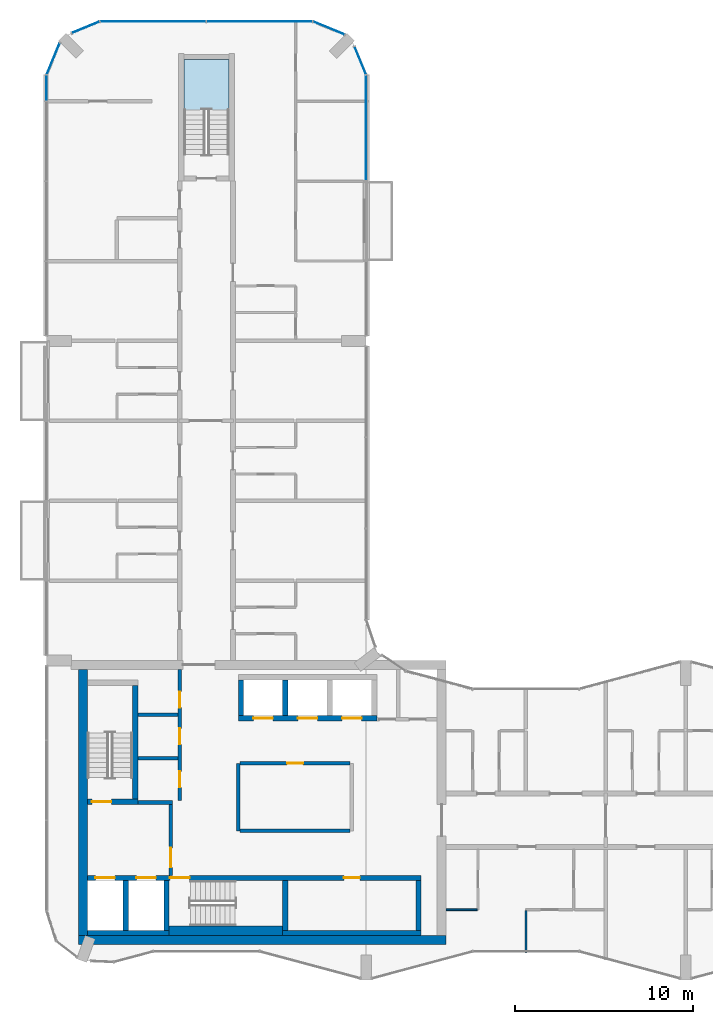
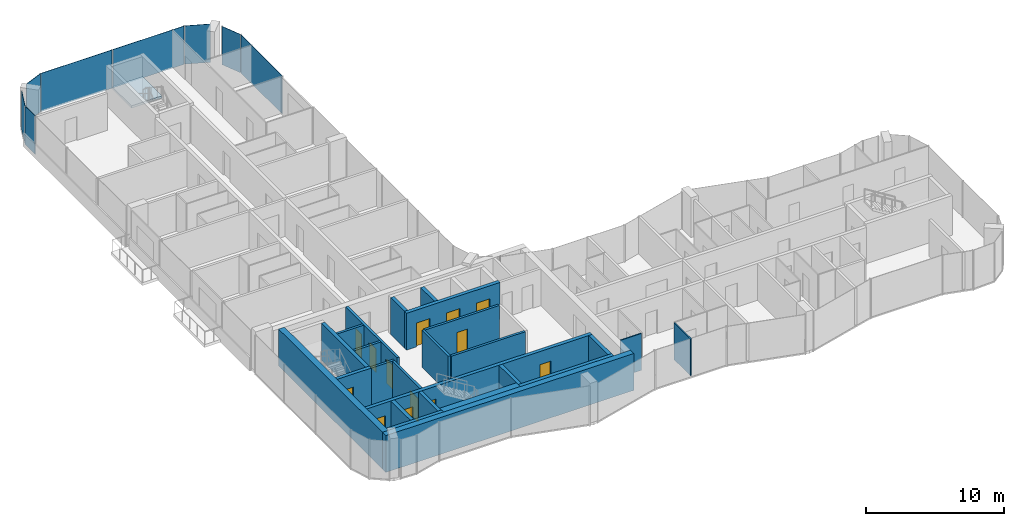
# One storey, part 9 of 16: 25 walls, 13 doors, 8 plates, 1 slab, 13 openings, 8 elements without a shape of their own.
"""IFC4 building model written with IfcOpenShell, lengths in metres."""

from ifc_helpers import new_model, si_unit, direction, frame, frame_2d, origin, origin_2d, place, context, subcontext, project, spatial, polyline, rectangle, outline, extrude, material, layer, layer_set, type_object, element, fill, aggregate, save


model = new_model("IFC4")

# Units and contexts
model_context = context("Model", 3, precision=1e-05, world=origin(), true_north=direction((0.0, 1.0)))
body_context = subcontext(model_context, "Body", "Model", "MODEL_VIEW")
ifc_project = project(units=[si_unit("LENGTHUNIT", "METRE"), si_unit("AREAUNIT", "SQUARE_METRE"), si_unit("VOLUMEUNIT", "CUBIC_METRE"), si_unit("PLANEANGLEUNIT", "RADIAN"), si_unit("MASSUNIT", "GRAM", prefix="KILO")], contexts=[model_context])

# Site, building, storey
site_placement = place(None, origin())
site = spatial("IfcSite", under=ifc_project, at=site_placement, CompositionType="ELEMENT")
building_placement = place(site_placement, origin())
building = spatial("IfcBuilding", under=site, at=building_placement, Name="Plateau Cross Towers", CompositionType="ELEMENT")
storey_placement = place(building_placement, frame((0.0, 0.0, 215.39990234375)))
storey = spatial("IfcBuildingStorey", under=building, at=storey_placement, Name="L56", CompositionType="ELEMENT", Elevation=215.39990234375)

# Curtain wall, plate
ifc_material_1 = material(Name="Dark low-iron glass", Category="glass")
ifc_layer_1 = layer(ifc_material_1, 0.239990234375)
ifc_layer_set_1 = layer_set([ifc_layer_1], Name="Dark low-iron glass")
curtain_wall_type = type_object("IfcCurtainWallType", Name="Curtain wall flush unitised CW-B", PredefinedType="NOTDEFINED", material=ifc_layer_set_1)
curtain_wall_1_placement = place(storey_placement, origin())
curtain_wall_1 = element("IfcCurtainWall", 1, at=curtain_wall_1_placement, inside=storey, type_object=curtain_wall_type, Name="ENV/A/L56/A180_450", PredefinedType="NOTDEFINED")
ifc_layer_2 = layer(ifc_material_1, 0.031982421875)
ifc_layer_set_2 = layer_set([ifc_layer_2], Name="Dark low-iron glass")
plate_type = type_object("IfcPlateType", Name="Glass panel 32 flush unitised", PredefinedType="CURTAIN_PANEL", material=ifc_layer_set_2)
plate_1_placement = place(storey_placement, frame((18.0, 48.0048828125, -0.1298828125), z_axis=(0.0, 0.0, 1.0), x_axis=(0.0, 1.0, 0.0)))
plate_1 = element("IfcPlate", 2, at=plate_1_placement, type_object=plate_type, Name="CW-B panel 1", PredefinedType="CURTAIN_PANEL", context=body_context, shape_type="SweptSolid", body=[
    extrude(rectangle(XDim=5.929931640625, YDim=0.031982421875, at=origin_2d()), origin(), (0.0, 0.0, 1.0), 3.3798828125),
])
aggregate(curtain_wall_1, [plate_1])

curtain_wall_2_placement = place(storey_placement, origin())
curtain_wall_2 = element("IfcCurtainWall", 3, at=curtain_wall_2_placement, inside=storey, type_object=curtain_wall_type, Name="ENV/A/L56/A180_510", PredefinedType="NOTDEFINED")
plate_2_placement = place(storey_placement, frame((17.66943359375, 51.79833984375, -0.1298828125), z_axis=(0.0, 0.0, 1.0), x_axis=(-0.382683612978, 0.923879457699, 0.0)))
plate_2 = element("IfcPlate", 4, at=plate_2_placement, type_object=plate_type, Name="CW-B panel 1", PredefinedType="CURTAIN_PANEL", context=body_context, shape_type="SweptSolid", body=[
    extrude(rectangle(XDim=1.668212890625, YDim=0.031982421875, at=origin_2d()), origin(), (0.0, 0.0, 1.0), 3.3798828125),
])
aggregate(curtain_wall_2, [plate_2])

curtain_wall_3_placement = place(storey_placement, origin())
curtain_wall_3 = element("IfcCurtainWall", 5, at=curtain_wall_3_placement, inside=storey, type_object=curtain_wall_type, Name="ENV/A/L56/A168_533", PredefinedType="NOTDEFINED")
plate_3_placement = place(storey_placement, frame((15.90283203125, 53.6259765625, -0.1298828125), z_axis=(0.0, 0.0, 1.0), x_axis=(-0.923879457699, 0.382683612978, 0.0)))
plate_3 = element("IfcPlate", 6, at=plate_3_placement, type_object=plate_type, Name="CW-B panel 1", PredefinedType="CURTAIN_PANEL", context=body_context, shape_type="SweptSolid", body=[
    extrude(rectangle(XDim=1.894775390625, YDim=0.031982421875, at=origin_2d()), origin(), (0.0, 0.0, 1.0), 3.3798828125),
])
aggregate(curtain_wall_3, [plate_3])

# Curtain wall, plates
curtain_wall_4_placement = place(storey_placement, origin())
curtain_wall_4 = element("IfcCurtainWall", 7, at=curtain_wall_4_placement, inside=storey, type_object=curtain_wall_type, Name="ENV/A/L56/A150_540", PredefinedType="NOTDEFINED")
plate_4_placement = place(storey_placement, frame((12.0, 54.0, -0.1298828125), z_axis=(0.0, 0.0, 1.0), x_axis=(-1.0, 0.0, 0.0)))
plate_4 = element("IfcPlate", 8, at=plate_4_placement, type_object=plate_type, Name="CW-B panel 1", PredefinedType="CURTAIN_PANEL", context=body_context, shape_type="SweptSolid", body=[
    extrude(rectangle(XDim=5.93994140625, YDim=0.031982421875, at=origin_2d()), origin(), (0.0, 0.0, 1.0), 3.3798828125),
])
plate_5_placement = place(storey_placement, frame((6.0, 54.0, -0.1298828125), z_axis=(0.0, 0.0, 1.0), x_axis=(-1.0, 0.0, 0.0)))
plate_5 = element("IfcPlate", 9, at=plate_5_placement, type_object=plate_type, Name="CW-B panel 2", PredefinedType="CURTAIN_PANEL", context=body_context, shape_type="SweptSolid", body=[
    extrude(rectangle(XDim=5.93994140625, YDim=0.031982421875, at=origin_2d()), origin(), (0.0, 0.0, 1.0), 3.3798828125),
])
aggregate(curtain_wall_4, [plate_4, plate_5])

# Curtain wall, plate
curtain_wall_5_placement = place(storey_placement, origin())
curtain_wall_5 = element("IfcCurtainWall", 10, at=curtain_wall_5_placement, inside=storey, type_object=curtain_wall_type, Name="ENV/A/L56/A30_540", PredefinedType="NOTDEFINED")
plate_6_placement = place(storey_placement, frame((2.20166015625, 53.66943359375, -0.1298828125), z_axis=(0.0, 0.0, 1.0), x_axis=(-0.923879457699, -0.382683612978, 0.0)))
plate_6 = element("IfcPlate", 11, at=plate_6_placement, type_object=plate_type, Name="CW-B panel 1", PredefinedType="CURTAIN_PANEL", context=body_context, shape_type="SweptSolid", body=[
    extrude(rectangle(XDim=1.668212890625, YDim=0.031982421875, at=origin_2d()), origin(), (0.0, 0.0, 1.0), 3.3798828125),
])
aggregate(curtain_wall_5, [plate_6])

curtain_wall_6_placement = place(storey_placement, origin())
curtain_wall_6 = element("IfcCurtainWall", 12, at=curtain_wall_6_placement, inside=storey, type_object=curtain_wall_type, Name="ENV/A/L56/A7_528", PredefinedType="NOTDEFINED")
plate_7_placement = place(storey_placement, frame((0.3740234375, 51.90283203125, -0.1298828125), z_axis=(0.0, 0.0, 1.0), x_axis=(-0.382683612978, -0.923879457699, 0.0)))
plate_7 = element("IfcPlate", 13, at=plate_7_placement, type_object=plate_type, Name="CW-B panel 1", PredefinedType="CURTAIN_PANEL", context=body_context, shape_type="SweptSolid", body=[
    extrude(rectangle(XDim=1.894775390625, YDim=0.031982421875, at=origin_2d()), origin(), (0.0, 0.0, 1.0), 3.3798828125),
])
aggregate(curtain_wall_6, [plate_7])

curtain_wall_7_placement = place(storey_placement, origin())
curtain_wall_7 = element("IfcCurtainWall", 14, at=curtain_wall_7_placement, inside=storey, type_object=curtain_wall_type, Name="ENV/A/L56/A0_510", PredefinedType="NOTDEFINED")
plate_8_placement = place(storey_placement, frame((0.0, 50.25, -0.1298828125), z_axis=(0.0, 0.0, 1.0), x_axis=(0.0, -1.0, 0.0)))
plate_8 = element("IfcPlate", 15, at=plate_8_placement, type_object=plate_type, Name="CW-B panel 1", PredefinedType="CURTAIN_PANEL", context=body_context, shape_type="SweptSolid", body=[
    extrude(rectangle(XDim=1.43994140625, YDim=0.031982421875, at=origin_2d()), origin(), (0.0, 0.0, 1.0), 3.3798828125),
])
aggregate(curtain_wall_7, [plate_8])

# Stair, slab
ifc_material_2 = material(Name="Concrete C40/50", Category="concrete")
stair_type = type_object("IfcStairType", Name="ST-TWR", PredefinedType="HALF_TURN_STAIR", material=ifc_material_2)
stair_placement = place(storey_placement, origin())
stair = element("IfcStair", 16, at=stair_placement, inside=storey, type_object=stair_type, Name="L56 Protected Exit Stair N", PredefinedType="HALF_TURN_STAIR")
ifc_layer_3 = layer(ifc_material_2, 0.199951171875)
ifc_layer_set_3 = layer_set([ifc_layer_3], Name="Concrete C40/50")
slab_type = type_object("IfcSlabType", Name="SL-LANDING", PredefinedType="LANDING", material=ifc_layer_set_3)
slab_placement = place(storey_placement, frame((0.0, 0.0, 1.550048828125)))
slab = element("IfcSlab", 17, at=slab_placement, type_object=slab_type, Name="ES-N landing 1", PredefinedType="LANDING", context=body_context, shape_type="SweptSolid", body=[
    extrude(outline(polyline([(10.27490234375, 49.02001953125), (10.27490234375, 51.85009765625), (7.72509765625, 51.85009765625), (7.72509765625, 49.02001953125), (10.27490234375, 49.02001953125)])), origin(), (0.0, 0.0, 1.0), 0.199951171875),
])
aggregate(stair, [slab])

# Wall, opening, door
ifc_material_3 = material(Name="Concrete block, plastered both sides", Category="concrete")
ifc_layer_4 = layer(ifc_material_3, 0.199951171875)
ifc_layer_set_4 = layer_set([ifc_layer_4], Name="Concrete block, plastered both sides")
wall_type_1 = type_object("IfcWallType", Name="Core partition 200", PredefinedType="PARTITIONING", material=ifc_layer_set_4)
wall_1_placement = place(storey_placement, frame((7.0, 5.89990234375, 0.0), z_axis=(0.0, 0.0, 1.0), x_axis=(0.0, 1.0, 0.0)))
wall_1 = element("IfcWall", 18, at=wall_1_placement, inside=storey, type_object=wall_type_1, Name="Core partition", PredefinedType="PARTITIONING", context=body_context, shape_type="SweptSolid", body=[
    extrude(rectangle(XDim=4.0, YDim=0.199951171875, at=frame_2d((2.0, 0.0))), origin(), (0.0, 0.0, 1.0), 3.25),
])
opening_1_placement = place(wall_1_placement, frame((0.449951171875, 0.0, 0.0)))
opening_1 = element("IfcOpeningElement", 19, at=opening_1_placement, cuts=wall_1, Name="Opening FFD", PredefinedType="OPENING", context=body_context, shape_type="SweptSolid", body=[
    extrude(rectangle(XDim=1.10009765625, YDim=2.10009765625, at=frame_2d((0.550048828125, 1.050048828125))), frame((0.0, 0.10986328125, 0.0), z_axis=(0.0, -1.0, 0.0), x_axis=(1.0, 0.0, 0.0)), (0.0, 0.0, 1.0), 0.219970703125),
])
ifc_material_4 = material(Name="Steel, fire-resisting leaf", Category="steel")
door_type_1 = type_object("IfcDoorType", Name="Firefighting lobby door 1100", OperationType="NOTDEFINED", PredefinedType="DOOR", material=ifc_material_4)
door_1_placement = place(opening_1_placement, origin())
door_1 = element("IfcDoor", 20, at=door_1_placement, inside=storey, type_object=door_type_1, Name="Firefighting lobby door FFD", OperationType="SINGLE_SWING_LEFT", OverallHeight=2.10009765625, OverallWidth=1.10009765625, PredefinedType="DOOR", context=body_context, shape_type="SweptSolid", body=[
    extrude(rectangle(XDim=1.10009765625, YDim=2.10009765625, at=frame_2d((0.550048828125, 1.050048828125))), frame((0.0, 0.02490234375, 0.0), z_axis=(0.0, -1.0, 0.0), x_axis=(1.0, 0.0, 0.0)), (0.0, 0.0, 1.0), 0.050048828125),
])
fill(opening_1, door_1)

# Walls
wall_2_placement = place(storey_placement, frame((5.14990234375, 10.0, 0.0), z_axis=(0.0, 0.0, 1.0), x_axis=(1.0, 0.0, 0.0)))
element("IfcWall", 21, at=wall_2_placement, inside=storey, type_object=wall_type_1, Name="Core partition", PredefinedType="PARTITIONING", context=body_context, shape_type="SweptSolid", body=[
    extrude(rectangle(XDim=1.9501953125, YDim=0.199951171875, at=frame_2d((0.97509765625, 0.0))), origin(), (0.0, 0.0, 1.0), 3.25),
])
wall_3_placement = place(storey_placement, frame((10.800048828125, 8.39990234375, 0.0), z_axis=(0.0, 0.0, 1.0), x_axis=(0.0, 1.0, 0.0)))
element("IfcWall", 22, at=wall_3_placement, inside=storey, type_object=wall_type_1, Name="Core partition", PredefinedType="PARTITIONING", context=body_context, shape_type="SweptSolid", body=[
    extrude(rectangle(XDim=3.800048828125, YDim=0.199951171875, at=frame_2d((1.89990234375, 0.0))), origin(), (0.0, 0.0, 1.0), 3.25),
])
wall_4_placement = place(storey_placement, frame((10.89990234375, 8.39990234375, 0.0), z_axis=(0.0, 0.0, 1.0), x_axis=(1.0, 0.0, 0.0)))
element("IfcWall", 23, at=wall_4_placement, inside=storey, type_object=wall_type_1, Name="Core partition", PredefinedType="PARTITIONING", context=body_context, shape_type="SweptSolid", body=[
    extrude(rectangle(XDim=6.2001953125, YDim=0.199951171875, at=frame_2d((3.10009765625, 0.0))), origin(), (0.0, 0.0, 1.0), 3.25),
])

# Wall, opening, door
wall_5_placement = place(storey_placement, frame((10.89990234375, 12.199951171875, 0.0), z_axis=(0.0, 0.0, 1.0), x_axis=(1.0, 0.0, 0.0)))
wall_5 = element("IfcWall", 24, at=wall_5_placement, inside=storey, type_object=wall_type_1, Name="Core partition", PredefinedType="PARTITIONING", context=body_context, shape_type="SweptSolid", body=[
    extrude(rectangle(XDim=6.2001953125, YDim=0.199951171875, at=frame_2d((3.10009765625, 0.0))), origin(), (0.0, 0.0, 1.0), 3.25),
])
opening_2_placement = place(wall_5_placement, frame((2.64990234375, 0.0, 0.0)))
opening_2 = element("IfcOpeningElement", 25, at=opening_2_placement, cuts=wall_5, Name="Opening RD1", PredefinedType="OPENING", context=body_context, shape_type="SweptSolid", body=[
    extrude(rectangle(XDim=0.89990234375, YDim=2.10009765625, at=frame_2d((0.449951171875, 1.050048828125))), frame((0.0, 0.10986328125, 0.0), z_axis=(0.0, -1.0, 0.0), x_axis=(1.0, 0.0, 0.0)), (0.0, 0.0, 1.0), 0.219970703125),
])
ifc_material_5 = material(Name="Timber, fire-resisting leaf", Category="wood")
door_type_2 = type_object("IfcDoorType", Name="Core service door 900", OperationType="NOTDEFINED", PredefinedType="DOOR", material=ifc_material_5)
door_2_placement = place(opening_2_placement, origin())
door_2 = element("IfcDoor", 26, at=door_2_placement, inside=storey, type_object=door_type_2, Name="Core service door RD1", OperationType="SINGLE_SWING_LEFT", OverallHeight=2.10009765625, OverallWidth=0.89990234375, PredefinedType="DOOR", context=body_context, shape_type="SweptSolid", body=[
    extrude(rectangle(XDim=0.89990234375, YDim=2.10009765625, at=frame_2d((0.449951171875, 1.050048828125))), frame((0.0, 0.02490234375, 0.0), z_axis=(0.0, -1.0, 0.0), x_axis=(1.0, 0.0, 0.0)), (0.0, 0.0, 1.0), 0.050048828125),
])
fill(opening_2, door_2)

# Wall, openings, doors
wall_6_placement = place(storey_placement, frame((7.5, 10.10009765625, 0.0), z_axis=(0.0, 0.0, 1.0), x_axis=(0.0, 1.0, 0.0)))
wall_6 = element("IfcWall", 27, at=wall_6_placement, inside=storey, type_object=wall_type_1, Name="Core partition", PredefinedType="PARTITIONING", context=body_context, shape_type="SweptSolid", body=[
    extrude(rectangle(XDim=7.39990234375, YDim=0.199951171875, at=frame_2d((3.699951171875, 0.0))), origin(), (0.0, 0.0, 1.0), 3.25),
])
opening_3_placement = place(wall_6_placement, frame((0.75, 0.0, 0.0)))
opening_3 = element("IfcOpeningElement", 28, at=opening_3_placement, cuts=wall_6, Name="Opening RD1", PredefinedType="OPENING", context=body_context, shape_type="SweptSolid", body=[
    extrude(rectangle(XDim=0.89990234375, YDim=2.10009765625, at=frame_2d((0.449951171875, 1.050048828125))), frame((0.0, 0.10986328125, 0.0), z_axis=(0.0, -1.0, 0.0), x_axis=(1.0, 0.0, 0.0)), (0.0, 0.0, 1.0), 0.219970703125),
])
opening_4_placement = place(wall_6_placement, frame((3.175048828125, 0.0, 0.0)))
opening_4 = element("IfcOpeningElement", 29, at=opening_4_placement, cuts=wall_6, Name="Opening RD1", PredefinedType="OPENING", context=body_context, shape_type="SweptSolid", body=[
    extrude(rectangle(XDim=0.89990234375, YDim=2.10009765625, at=frame_2d((0.449951171875, 1.050048828125))), frame((0.0, 0.10986328125, 0.0), z_axis=(0.0, -1.0, 0.0), x_axis=(1.0, 0.0, 0.0)), (0.0, 0.0, 1.0), 0.219970703125),
])
opening_5_placement = place(wall_6_placement, frame((5.25, 0.0, 0.0)))
opening_5 = element("IfcOpeningElement", 30, at=opening_5_placement, cuts=wall_6, Name="Opening RD1", PredefinedType="OPENING", context=body_context, shape_type="SweptSolid", body=[
    extrude(rectangle(XDim=0.89990234375, YDim=2.10009765625, at=frame_2d((0.449951171875, 1.050048828125))), frame((0.0, 0.10986328125, 0.0), z_axis=(0.0, -1.0, 0.0), x_axis=(1.0, 0.0, 0.0)), (0.0, 0.0, 1.0), 0.219970703125),
])
door_3_placement = place(opening_3_placement, origin())
door_3 = element("IfcDoor", 31, at=door_3_placement, inside=storey, type_object=door_type_2, Name="Core service door RD1", OperationType="SINGLE_SWING_RIGHT", OverallHeight=2.10009765625, OverallWidth=0.89990234375, PredefinedType="DOOR", context=body_context, shape_type="SweptSolid", body=[
    extrude(rectangle(XDim=0.89990234375, YDim=2.10009765625, at=frame_2d((0.449951171875, 1.050048828125))), frame((0.0, 0.02490234375, 0.0), z_axis=(0.0, -1.0, 0.0), x_axis=(1.0, 0.0, 0.0)), (0.0, 0.0, 1.0), 0.050048828125),
])
fill(opening_3, door_3)
door_4_placement = place(opening_4_placement, origin())
door_4 = element("IfcDoor", 32, at=door_4_placement, inside=storey, type_object=door_type_2, Name="Core service door RD1", OperationType="SINGLE_SWING_RIGHT", OverallHeight=2.10009765625, OverallWidth=0.89990234375, PredefinedType="DOOR", context=body_context, shape_type="SweptSolid", body=[
    extrude(rectangle(XDim=0.89990234375, YDim=2.10009765625, at=frame_2d((0.449951171875, 1.050048828125))), frame((0.0, 0.02490234375, 0.0), z_axis=(0.0, -1.0, 0.0), x_axis=(1.0, 0.0, 0.0)), (0.0, 0.0, 1.0), 0.050048828125),
])
fill(opening_4, door_4)
door_5_placement = place(opening_5_placement, origin())
door_5 = element("IfcDoor", 33, at=door_5_placement, inside=storey, type_object=door_type_2, Name="Core service door RD1", OperationType="SINGLE_SWING_RIGHT", OverallHeight=2.10009765625, OverallWidth=0.89990234375, PredefinedType="DOOR", context=body_context, shape_type="SweptSolid", body=[
    extrude(rectangle(XDim=0.89990234375, YDim=2.10009765625, at=frame_2d((0.449951171875, 1.050048828125))), frame((0.0, 0.02490234375, 0.0), z_axis=(0.0, -1.0, 0.0), x_axis=(1.0, 0.0, 0.0)), (0.0, 0.0, 1.0), 0.050048828125),
])
fill(opening_5, door_5)

# Walls
for number, where, z_axis, x_axis, name in (
    (34, (5.14990234375, 12.5, 0.0), (0.0, 0.0, 1.0), (1.0, 0.0, 0.0), "Core partition"),
    (35, (5.14990234375, 14.949951171875, 0.0), (0.0, 0.0, 1.0), (1.0, 0.0, 0.0), "Core partition"),
):
    element("IfcWall", number, at=place(storey_placement, frame(where, z_axis=z_axis, x_axis=x_axis)), inside=storey, type_object=wall_type_1, Name=name, PredefinedType="PARTITIONING", context=body_context, shape_type="SweptSolid", body=[
        extrude(rectangle(XDim=2.25, YDim=0.199951171875, at=frame_2d((1.125, 0.0))), origin(), (0.0, 0.0, 1.0), 3.25),
    ])
ifc_material_6 = material(Name="Concrete C60/75", Category="concrete")
ifc_layer_5 = layer(ifc_material_6, 0.300048828125)
ifc_layer_set_5 = layer_set([ifc_layer_5], Name="Concrete C60/75")
wall_type_2 = type_object("IfcWallType", Name="Core shaft wall 300", PredefinedType="SHEAR", material=ifc_layer_set_5)
wall_7_placement = place(storey_placement, frame((2.300048828125, 2.64990234375, 0.0), z_axis=(0.0, 0.0, 1.0), x_axis=(1.0, 0.0, 0.0)))
element("IfcWall", 36, at=wall_7_placement, inside=storey, type_object=wall_type_2, Name="A-sb-back1@L56", PredefinedType="SHEAR", context=body_context, shape_type="SweptSolid", body=[
    extrude(rectangle(XDim=4.599853515625, YDim=0.300048828125, at=frame_2d((2.2998046875, 0.0))), origin(), (0.0, 0.0, 1.0), 3.25),
])
wall_8_placement = place(storey_placement, frame((13.300048828125, 2.64990234375, 0.0), z_axis=(0.0, 0.0, 1.0), x_axis=(1.0, 0.0, 0.0)))
element("IfcWall", 37, at=wall_8_placement, inside=storey, type_object=wall_type_2, Name="A-sb-back3@L56", PredefinedType="SHEAR", context=body_context, shape_type="SweptSolid", body=[
    extrude(rectangle(XDim=7.800048828125, YDim=0.300048828125, at=frame_2d((3.89990234375, 0.0))), origin(), (0.0, 0.0, 1.0), 3.25),
])
for number, where, z_axis, x_axis, name in (
    (38, (4.449951171875, 2.800048828125, 0.0), (0.0, 0.0, 1.0), (0.0, 1.0, 0.0), "A-sb-v1@L56"),
    (39, (6.75, 2.800048828125, 0.0), (0.0, 0.0, 1.0), (0.0, 1.0, 0.0), "A-sb-v2@L56"),
    (40, (13.449951171875, 2.800048828125, 0.0), (0.0, 0.0, 1.0), (0.0, 1.0, 0.0), "A-sb-v3@L56"),
    (41, (20.949951171875, 2.800048828125, 0.0), (0.0, 0.0, 1.0), (0.0, 1.0, 0.0), "A-sb-v6@L56"),
):
    element("IfcWall", number, at=place(storey_placement, frame(where, z_axis=z_axis, x_axis=x_axis)), inside=storey, type_object=wall_type_2, Name=name, PredefinedType="SHEAR", context=body_context, shape_type="SweptSolid", body=[
        extrude(rectangle(XDim=2.800048828125, YDim=0.300048828125, at=frame_2d((1.39990234375, 0.0))), origin(), (0.0, 0.0, 1.0), 3.25),
    ])

# Wall, openings, doors
wall_9_placement = place(storey_placement, frame((2.300048828125, 5.75, 0.0), z_axis=(0.0, 0.0, 1.0), x_axis=(1.0, 0.0, 0.0)))
wall_9 = element("IfcWall", 42, at=wall_9_placement, inside=storey, type_object=wall_type_2, Name="A-sb-front@L56", PredefinedType="SHEAR", context=body_context, shape_type="SweptSolid", body=[
    extrude(rectangle(XDim=18.800048828125, YDim=0.300048828125, at=frame_2d((9.39990234375, 0.0))), origin(), (0.0, 0.0, 1.0), 3.25),
])
opening_6_placement = place(wall_9_placement, frame((4.64990234375, 0.0, 0.0)))
opening_6 = element("IfcOpeningElement", 43, at=opening_6_placement, cuts=wall_9, Name="Opening SD", PredefinedType="OPENING", context=body_context, shape_type="SweptSolid", body=[
    extrude(rectangle(XDim=1.10009765625, YDim=2.10009765625, at=frame_2d((0.550048828125, 1.050048828125))), frame((0.0, 0.159912109375, 0.0), z_axis=(0.0, -1.0, 0.0), x_axis=(1.0, 0.0, 0.0)), (0.0, 0.0, 1.0), 0.320068359375),
])
opening_7_placement = place(wall_9_placement, frame((0.449951171875, 0.0, 0.0)))
opening_7 = element("IfcOpeningElement", 44, at=opening_7_placement, cuts=wall_9, Name="Opening LD", PredefinedType="OPENING", context=body_context, shape_type="SweptSolid", body=[
    extrude(rectangle(XDim=1.10009765625, YDim=2.10009765625, at=frame_2d((0.550048828125, 1.050048828125))), frame((0.0, 0.159912109375, 0.0), z_axis=(0.0, -1.0, 0.0), x_axis=(1.0, 0.0, 0.0)), (0.0, 0.0, 1.0), 0.320068359375),
])
opening_8_placement = place(wall_9_placement, frame((2.75, 0.0, 0.0)))
opening_8 = element("IfcOpeningElement", 45, at=opening_8_placement, cuts=wall_9, Name="Opening LD", PredefinedType="OPENING", context=body_context, shape_type="SweptSolid", body=[
    extrude(rectangle(XDim=1.10009765625, YDim=2.10009765625, at=frame_2d((0.550048828125, 1.050048828125))), frame((0.0, 0.159912109375, 0.0), z_axis=(0.0, -1.0, 0.0), x_axis=(1.0, 0.0, 0.0)), (0.0, 0.0, 1.0), 0.320068359375),
])
opening_9_placement = place(wall_9_placement, frame((14.449951171875, 0.0, 0.0)))
opening_9 = element("IfcOpeningElement", 46, at=opening_9_placement, cuts=wall_9, Name="Opening RD2", PredefinedType="OPENING", context=body_context, shape_type="SweptSolid", body=[
    extrude(rectangle(XDim=0.89990234375, YDim=2.10009765625, at=frame_2d((0.449951171875, 1.050048828125))), frame((0.0, 0.159912109375, 0.0), z_axis=(0.0, -1.0, 0.0), x_axis=(1.0, 0.0, 0.0)), (0.0, 0.0, 1.0), 0.320068359375),
])
door_type_3 = type_object("IfcDoorType", Name="Core riser door 900", OperationType="NOTDEFINED", PredefinedType="DOOR", material=ifc_material_4)
door_6_placement = place(opening_9_placement, origin())
door_6 = element("IfcDoor", 47, at=door_6_placement, inside=storey, type_object=door_type_3, Name="Core riser door RD2", OperationType="SINGLE_SWING_LEFT", OverallHeight=2.10009765625, OverallWidth=0.89990234375, PredefinedType="DOOR", context=body_context, shape_type="SweptSolid", body=[
    extrude(rectangle(XDim=0.89990234375, YDim=2.10009765625, at=frame_2d((0.449951171875, 1.050048828125))), frame((0.0, 0.02490234375, 0.0), z_axis=(0.0, -1.0, 0.0), x_axis=(1.0, 0.0, 0.0)), (0.0, 0.0, 1.0), 0.050048828125),
])
fill(opening_9, door_6)
ifc_material_7 = material(Name="Stainless steel, fire-resisting sliding leaves", Category="steel")
door_type_4 = type_object("IfcDoorType", Name="Lift landing door 1100", OperationType="NOTDEFINED", PredefinedType="DOOR", material=ifc_material_7)
door_7_placement = place(opening_7_placement, origin())
door_7 = element("IfcDoor", 48, at=door_7_placement, inside=storey, type_object=door_type_4, Name="Lift landing door LD", OperationType="DOUBLE_DOOR_SLIDING", OverallHeight=2.10009765625, OverallWidth=1.10009765625, PredefinedType="DOOR", context=body_context, shape_type="SweptSolid", body=[
    extrude(rectangle(XDim=1.10009765625, YDim=2.10009765625, at=frame_2d((0.550048828125, 1.050048828125))), frame((0.0, 0.02490234375, 0.0), z_axis=(0.0, -1.0, 0.0), x_axis=(1.0, 0.0, 0.0)), (0.0, 0.0, 1.0), 0.050048828125),
])
fill(opening_7, door_7)
door_8_placement = place(opening_8_placement, origin())
door_8 = element("IfcDoor", 49, at=door_8_placement, inside=storey, type_object=door_type_4, Name="Lift landing door LD", OperationType="DOUBLE_DOOR_SLIDING", OverallHeight=2.10009765625, OverallWidth=1.10009765625, PredefinedType="DOOR", context=body_context, shape_type="SweptSolid", body=[
    extrude(rectangle(XDim=1.10009765625, YDim=2.10009765625, at=frame_2d((0.550048828125, 1.050048828125))), frame((0.0, 0.02490234375, 0.0), z_axis=(0.0, -1.0, 0.0), x_axis=(1.0, 0.0, 0.0)), (0.0, 0.0, 1.0), 0.050048828125),
])
fill(opening_8, door_8)
door_type_5 = type_object("IfcDoorType", Name="Stair door 1100", OperationType="NOTDEFINED", PredefinedType="DOOR", material=ifc_material_4)
door_9_placement = place(opening_6_placement, origin())
door_9 = element("IfcDoor", 50, at=door_9_placement, inside=storey, type_object=door_type_5, Name="Stair door SD", OperationType="SINGLE_SWING_LEFT", OverallHeight=2.10009765625, OverallWidth=1.10009765625, PredefinedType="DOOR", context=body_context, shape_type="SweptSolid", body=[
    extrude(rectangle(XDim=1.10009765625, YDim=2.10009765625, at=frame_2d((0.550048828125, 1.050048828125))), frame((0.0, 0.02490234375, 0.0), z_axis=(0.0, -1.0, 0.0), x_axis=(1.0, 0.0, 0.0)), (0.0, 0.0, 1.0), 0.050048828125),
])
fill(opening_6, door_9)

# Wall, opening, door
wall_10_placement = place(storey_placement, frame((2.300048828125, 10.050048828125, 0.0), z_axis=(0.0, 0.0, 1.0), x_axis=(1.0, 0.0, 0.0)))
wall_10 = element("IfcWall", 51, at=wall_10_placement, inside=storey, type_object=wall_type_2, Name="A-st1-S@L56", PredefinedType="SHEAR", context=body_context, shape_type="SweptSolid", body=[
    extrude(rectangle(XDim=2.849853515625, YDim=0.300048828125, at=frame_2d((1.4248046875, 0.0))), origin(), (0.0, 0.0, 1.0), 3.25),
])
opening_10_placement = place(wall_10_placement, frame((0.25, 0.0, 0.0)))
opening_10 = element("IfcOpeningElement", 52, at=opening_10_placement, cuts=wall_10, Name="Opening SD", PredefinedType="OPENING", context=body_context, shape_type="SweptSolid", body=[
    extrude(rectangle(XDim=1.10009765625, YDim=2.10009765625, at=frame_2d((0.550048828125, 1.050048828125))), frame((0.0, 0.159912109375, 0.0), z_axis=(0.0, -1.0, 0.0), x_axis=(1.0, 0.0, 0.0)), (0.0, 0.0, 1.0), 0.320068359375),
])
door_10_placement = place(opening_10_placement, origin())
door_10 = element("IfcDoor", 53, at=door_10_placement, inside=storey, type_object=door_type_5, Name="Stair door SD", OperationType="SINGLE_SWING_RIGHT", OverallHeight=2.10009765625, OverallWidth=1.10009765625, PredefinedType="DOOR", context=body_context, shape_type="SweptSolid", body=[
    extrude(rectangle(XDim=1.10009765625, YDim=2.10009765625, at=frame_2d((0.550048828125, 1.050048828125))), frame((0.0, 0.02490234375, 0.0), z_axis=(0.0, -1.0, 0.0), x_axis=(1.0, 0.0, 0.0)), (0.0, 0.0, 1.0), 0.050048828125),
])
fill(opening_10, door_10)

# Wall
wall_11_placement = place(storey_placement, frame((5.0, 10.199951171875, 0.0), z_axis=(0.0, 0.0, 1.0), x_axis=(0.0, 1.0, 0.0)))
element("IfcWall", 54, at=wall_11_placement, inside=storey, type_object=wall_type_2, Name="A-st1-E@L56", PredefinedType="SHEAR", context=body_context, shape_type="SweptSolid", body=[
    extrude(rectangle(XDim=6.400146484375, YDim=0.300048828125, at=frame_2d((3.2001953125, 0.0))), origin(), (0.0, 0.0, 1.0), 3.25),
])

# Wall, openings, doors
wall_12_placement = place(storey_placement, frame((10.800048828125, 14.75, 0.0), z_axis=(0.0, 0.0, 1.0), x_axis=(1.0, 0.0, 0.0)))
wall_12 = element("IfcWall", 55, at=wall_12_placement, inside=storey, type_object=wall_type_2, Name="A-nb-front@L56", PredefinedType="SHEAR", context=body_context, shape_type="SweptSolid", body=[
    extrude(rectangle(XDim=7.800048828125, YDim=0.300048828125, at=frame_2d((3.89990234375, 0.0))), origin(), (0.0, 0.0, 1.0), 3.25),
])
opening_11_placement = place(wall_12_placement, frame((0.85009765625, 0.0, 0.0)))
opening_11 = element("IfcOpeningElement", 56, at=opening_11_placement, cuts=wall_12, Name="Opening LD", PredefinedType="OPENING", context=body_context, shape_type="SweptSolid", body=[
    extrude(rectangle(XDim=1.10009765625, YDim=2.10009765625, at=frame_2d((0.550048828125, 1.050048828125))), frame((0.0, 0.159912109375, 0.0), z_axis=(0.0, -1.0, 0.0), x_axis=(1.0, 0.0, 0.0)), (0.0, 0.0, 1.0), 0.320068359375),
])
opening_12_placement = place(wall_12_placement, frame((3.35009765625, 0.0, 0.0)))
opening_12 = element("IfcOpeningElement", 57, at=opening_12_placement, cuts=wall_12, Name="Opening LD", PredefinedType="OPENING", context=body_context, shape_type="SweptSolid", body=[
    extrude(rectangle(XDim=1.10009765625, YDim=2.10009765625, at=frame_2d((0.550048828125, 1.050048828125))), frame((0.0, 0.159912109375, 0.0), z_axis=(0.0, -1.0, 0.0), x_axis=(1.0, 0.0, 0.0)), (0.0, 0.0, 1.0), 0.320068359375),
])
opening_13_placement = place(wall_12_placement, frame((5.85009765625, 0.0, 0.0)))
opening_13 = element("IfcOpeningElement", 58, at=opening_13_placement, cuts=wall_12, Name="Opening LD", PredefinedType="OPENING", context=body_context, shape_type="SweptSolid", body=[
    extrude(rectangle(XDim=1.10009765625, YDim=2.10009765625, at=frame_2d((0.550048828125, 1.050048828125))), frame((0.0, 0.159912109375, 0.0), z_axis=(0.0, -1.0, 0.0), x_axis=(1.0, 0.0, 0.0)), (0.0, 0.0, 1.0), 0.320068359375),
])
door_11_placement = place(opening_11_placement, origin())
door_11 = element("IfcDoor", 59, at=door_11_placement, inside=storey, type_object=door_type_4, Name="Lift landing door LD", OperationType="DOUBLE_DOOR_SLIDING", OverallHeight=2.10009765625, OverallWidth=1.10009765625, PredefinedType="DOOR", context=body_context, shape_type="SweptSolid", body=[
    extrude(rectangle(XDim=1.10009765625, YDim=2.10009765625, at=frame_2d((0.550048828125, 1.050048828125))), frame((0.0, 0.02490234375, 0.0), z_axis=(0.0, -1.0, 0.0), x_axis=(1.0, 0.0, 0.0)), (0.0, 0.0, 1.0), 0.050048828125),
])
fill(opening_11, door_11)
door_12_placement = place(opening_12_placement, origin())
door_12 = element("IfcDoor", 60, at=door_12_placement, inside=storey, type_object=door_type_4, Name="Lift landing door LD", OperationType="DOUBLE_DOOR_SLIDING", OverallHeight=2.10009765625, OverallWidth=1.10009765625, PredefinedType="DOOR", context=body_context, shape_type="SweptSolid", body=[
    extrude(rectangle(XDim=1.10009765625, YDim=2.10009765625, at=frame_2d((0.550048828125, 1.050048828125))), frame((0.0, 0.02490234375, 0.0), z_axis=(0.0, -1.0, 0.0), x_axis=(1.0, 0.0, 0.0)), (0.0, 0.0, 1.0), 0.050048828125),
])
fill(opening_12, door_12)
door_13_placement = place(opening_13_placement, origin())
door_13 = element("IfcDoor", 61, at=door_13_placement, inside=storey, type_object=door_type_4, Name="Lift landing door LD", OperationType="DOUBLE_DOOR_SLIDING", OverallHeight=2.10009765625, OverallWidth=1.10009765625, PredefinedType="DOOR", context=body_context, shape_type="SweptSolid", body=[
    extrude(rectangle(XDim=1.10009765625, YDim=2.10009765625, at=frame_2d((0.550048828125, 1.050048828125))), frame((0.0, 0.02490234375, 0.0), z_axis=(0.0, -1.0, 0.0), x_axis=(1.0, 0.0, 0.0)), (0.0, 0.0, 1.0), 0.050048828125),
])
fill(opening_13, door_13)

# Walls
for number, where, z_axis, x_axis, name in (
    (62, (10.949951171875, 14.89990234375, 0.0), (0.0, 0.0, 1.0), (0.0, 1.0, 0.0), "A-nb-v1@L56"),
    (63, (13.449951171875, 14.89990234375, 0.0), (0.0, 0.0, 1.0), (0.0, 1.0, 0.0), "A-nb-v2@L56"),
):
    element("IfcWall", number, at=place(storey_placement, frame(where, z_axis=z_axis, x_axis=x_axis)), inside=storey, type_object=wall_type_2, Name=name, PredefinedType="SHEAR", context=body_context, shape_type="SweptSolid", body=[
        extrude(rectangle(XDim=2.0, YDim=0.300048828125, at=frame_2d((1.0, 0.0))), origin(), (0.0, 0.0, 1.0), 3.25),
    ])
ifc_layer_6 = layer(ifc_material_6, 0.550048828125)
ifc_layer_set_6 = layer_set([ifc_layer_6], Name="Concrete C60/75")
wall_type_3 = type_object("IfcWallType", Name="Core shaft wall 550", PredefinedType="SHEAR", material=ifc_layer_set_6)
wall_13_placement = place(storey_placement, frame((6.89990234375, 2.77490234375, 0.0), z_axis=(0.0, 0.0, 1.0), x_axis=(1.0, 0.0, 0.0)))
element("IfcWall", 64, at=wall_13_placement, inside=storey, type_object=wall_type_3, Name="A-sb-back2@L56", PredefinedType="SHEAR", context=body_context, shape_type="SweptSolid", body=[
    extrude(rectangle(XDim=6.400146484375, YDim=0.550048828125, at=frame_2d((3.2001953125, 0.0))), origin(), (0.0, 0.0, 1.0), 3.25),
])
ifc_layer_7 = layer(ifc_material_6, 0.5)
ifc_layer_set_7 = layer_set([ifc_layer_7], Name="Concrete C60/75")
wall_type_4 = type_object("IfcWallType", Name="Core shell wall 500", PredefinedType="SHEAR", material=ifc_layer_set_7)
wall_14_placement = place(storey_placement, frame((1.800048828125, 2.25, 0.0), z_axis=(0.0, 0.0, 1.0), x_axis=(1.0, 0.0, 0.0)))
element("IfcWall", 65, at=wall_14_placement, inside=storey, type_object=wall_type_4, Name="A-core-S@L56", PredefinedType="SHEAR", context=body_context, shape_type="SweptSolid", body=[
    extrude(rectangle(XDim=20.699951171875, YDim=0.5, at=frame_2d((10.35009765625, 0.0))), origin(), (0.0, 0.0, 1.0), 3.25),
])
wall_15_placement = place(storey_placement, frame((2.050048828125, 2.5, 0.0), z_axis=(0.0, 0.0, 1.0), x_axis=(0.0, 1.0, 0.0)))
element("IfcWall", 66, at=wall_15_placement, inside=storey, type_object=wall_type_4, Name="A-core-W@L56", PredefinedType="SHEAR", context=body_context, shape_type="SweptSolid", body=[
    extrude(rectangle(XDim=15.0, YDim=0.5, at=frame_2d((7.5, 0.0))), origin(), (0.0, 0.0, 1.0), 3.25),
])
ifc_material_8 = material(Name="Gypsum board on steel studs", Category="steel")
ifc_layer_8 = layer(ifc_material_8, 0.10009765625)
ifc_layer_set_8 = layer_set([ifc_layer_8], Name="Gypsum board on steel studs")
wall_type_5 = type_object("IfcWallType", Name="Flat partition 100", PredefinedType="PARTITIONING", material=ifc_layer_set_8)
wall_16_placement = place(storey_placement, frame((22.5, 3.96240234375, 0.0), z_axis=(0.0, 0.0, 1.0), x_axis=(1.0, 0.0, 0.0)))
element("IfcWall", 67, at=wall_16_placement, inside=storey, type_object=wall_type_5, Name="Partition wall", PredefinedType="PARTITIONING", context=body_context, shape_type="SweptSolid", body=[
    extrude(rectangle(XDim=1.75, YDim=0.10009765625, at=frame_2d((0.875, 0.0))), origin(), (0.0, 0.0, 1.0), 3.25),
])
wall_17_placement = place(storey_placement, frame((27.0, 3.91259765625, 0.0), z_axis=(0.0, 0.0, 1.0), x_axis=(0.0, -1.0, 0.0)))
element("IfcWall", 68, at=wall_17_placement, inside=storey, type_object=wall_type_5, Name="Partition wall", PredefinedType="PARTITIONING", context=body_context, shape_type="SweptSolid", body=[
    extrude(rectangle(XDim=2.3857421875, YDim=0.10009765625, at=frame_2d((1.19287109375, 0.0))), origin(), (0.0, 0.0, 1.0), 3.25),
])

save(model, "model.ifc")
